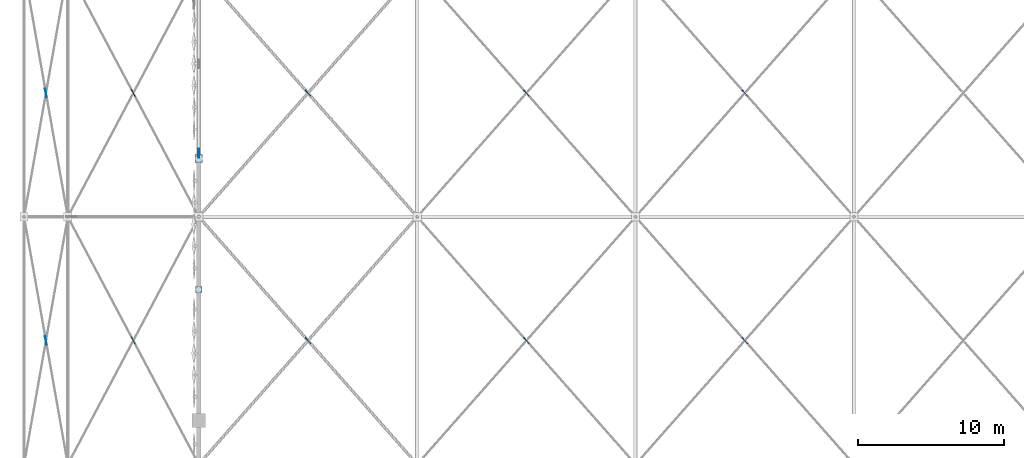
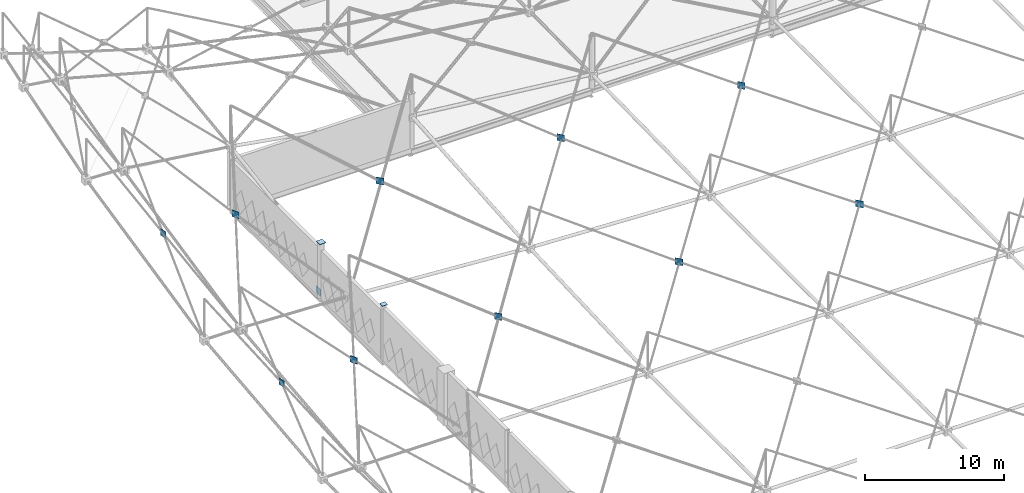
# One storey, part 183 of 224: 13 plates.
"""IFC4 building model written with IfcOpenShell, lengths in metres."""

import ifcopenshell
import ifcopenshell.guid

model = None  # the IFC model being written
_history = None  # IfcOwnerHistory: only IFC2X3 demands one
_inside = {}  # id of a spatial element -> (the spatial element, [elements in it])
_under = {}  # id of a project, library or spatial element -> (it, [spatial elements below it])
_declared = {}  # id of a project -> (the project, [libraries it declares])
_typed = {}  # id of a type object -> (the type object, [elements of that type])
_made_of = {}  # id of a material, layer set ... -> (it, [elements and type objects made of it])


def new_model(schema):
    """Start an empty IFC model of exactly this schema.

    Asked for "IFC4X3", IfcOpenShell would pick the latest addendum, in which some entities
    have other attributes; the version numbers below select the first issue.
    IFC2X3 requires an IfcOwnerHistory on every rooted entity: one is made here for all.
    """
    global model, _history
    if schema == "IFC4X3":
        model = ifcopenshell.file(schema_version=(4, 3, 0, 0))
    else:
        model = ifcopenshell.file(schema=schema)
    _inside.clear()
    _under.clear()
    _declared.clear()
    _typed.clear()
    _made_of.clear()
    _history = None
    if model.schema == "IFC2X3":
        org = make("IfcOrganization", Name="unknown")
        user = make(
            "IfcPersonAndOrganization",
            ThePerson=make("IfcPerson", FamilyName="unknown"),
            TheOrganization=org,
        )
        app = make(
            "IfcApplication",
            ApplicationDeveloper=org,
            Version="unknown",
            ApplicationFullName="unknown",
            ApplicationIdentifier="unknown",
        )
        _history = make(
            "IfcOwnerHistory",
            OwningUser=user,
            OwningApplication=app,
            ChangeAction="ADDED",
            CreationDate=0,
        )
    return model


def make(cls, **values):
    """One entity of the class cls with the attributes given. An attribute that is None is left unset."""
    return model.create_entity(
        cls, **{name: value for name, value in values.items() if value is not None}
    )


def rooted(cls, **values):
    """An entity with a GlobalId (a new one), such as an element, a storey or a relation."""
    return make(cls, GlobalId=ifcopenshell.guid.new(), OwnerHistory=_history, **values)


def si_unit(unit_type, name, prefix=None):
    """IfcSIUnit, for example si_unit("LENGTHUNIT", "METRE", prefix="MILLI")."""
    return make("IfcSIUnit", UnitType=unit_type, Prefix=prefix, Name=name)


def assignment(units):
    """IfcUnitAssignment: the units of a project."""
    return None if units is None else make("IfcUnitAssignment", Units=units)


def point(xyz):
    """IfcCartesianPoint."""
    return None if xyz is None else make("IfcCartesianPoint", Coordinates=xyz)


def direction(xyz):
    """IfcDirection."""
    return None if xyz is None else make("IfcDirection", DirectionRatios=xyz)


def frame(location, z_axis=None, x_axis=None):
    """IfcAxis2Placement3D, a coordinate frame: its origin and axes. An axis left out is left unset."""
    return make(
        "IfcAxis2Placement3D",
        Location=point(location),
        Axis=direction(z_axis),
        RefDirection=direction(x_axis),
    )


def frame_2d(location, x_axis=None):
    """IfcAxis2Placement2D, a coordinate frame in the plane: its origin and x axis."""
    return make(
        "IfcAxis2Placement2D", Location=point(location), RefDirection=direction(x_axis)
    )


def origin():
    """The frame at (0, 0, 0) with its axes left unset."""
    return frame((0.0, 0.0, 0.0))


def origin_2d():
    """The frame at (0, 0) in the plane with its x axis left unset."""
    return frame_2d((0.0, 0.0))


def place(relative_to, where):
    """IfcLocalPlacement: puts the frame where relative to a parent placement (None: the world)."""
    return make(
        "IfcLocalPlacement", PlacementRelTo=relative_to, RelativePlacement=where
    )


def context(
    kind, dimensions, precision=None, world=None, true_north=None, identifier=None
):
    """IfcGeometricRepresentationContext, for example the 3D "Model" context."""
    return make(
        "IfcGeometricRepresentationContext",
        ContextIdentifier=identifier,
        ContextType=kind,
        CoordinateSpaceDimension=dimensions,
        Precision=precision,
        WorldCoordinateSystem=world,
        TrueNorth=true_north,
    )


def subcontext(parent, identifier, kind, view, scale=None):
    """IfcGeometricRepresentationSubContext, for example "Body" below "Model"."""
    return make(
        "IfcGeometricRepresentationSubContext",
        ContextIdentifier=identifier,
        ContextType=kind,
        ParentContext=parent,
        TargetScale=scale,
        TargetView=view,
    )


def project(units=None, contexts=None):
    """IfcProject with its units and contexts."""
    return rooted(
        "IfcProject",
        Name="project",
        RepresentationContexts=contexts,
        UnitsInContext=assignment(units),
    )


def spatial(cls, under=None, at=None, **own):
    """A site, building, storey or space (cls), placed at a placement, below another one or the project."""
    s = rooted(cls, ObjectPlacement=at, **own)
    if under is not None:
        _under.setdefault(under.id(), (under, []))[1].append(s)
    return s


def profile(cls, at=None, kind="AREA", **sizes):
    """A parametric profile (cls). Its sizes go by their IFC names, for example OverallWidth=200.0."""
    return make(cls, ProfileType=kind, Position=at, **sizes)


def rectangle(**sizes):
    """IfcRectangleProfileDef."""
    return profile("IfcRectangleProfileDef", **sizes)


def extrude(swept, where, along, depth):
    """IfcExtrudedAreaSolid: the profile swept, set in the frame where, extruded along a direction by depth."""
    return make(
        "IfcExtrudedAreaSolid",
        SweptArea=swept,
        Position=where,
        ExtrudedDirection=direction(along),
        Depth=depth,
    )


def shape(context_of_items, identifier, shape_type, items):
    """IfcShapeRepresentation: the items that make up one representation, for example the "Body"."""
    return make(
        "IfcShapeRepresentation",
        ContextOfItems=context_of_items,
        RepresentationIdentifier=identifier,
        RepresentationType=shape_type,
        Items=items,
    )


def material(Name=None, Category=None):
    """IfcMaterial."""
    return make("IfcMaterial", Name=Name, Category=Category)


def layer(
    of_material, thickness, ventilated=None, Name=None, Category=None, Priority=None
):
    """IfcMaterialLayer: one layer of a wall or slab, of a material (None: an air gap)."""
    return make(
        "IfcMaterialLayer",
        Material=of_material,
        LayerThickness=thickness,
        IsVentilated=ventilated,
        Name=Name,
        Category=Category,
        Priority=Priority,
    )


def layer_set(layers, Name=None):
    """IfcMaterialLayerSet."""
    return make("IfcMaterialLayerSet", MaterialLayers=layers, LayerSetName=Name)


def made_of(thing, what):
    """Note that an element or type object is made of a material, layer set ...; save() writes the relation."""
    if what is not None:
        _made_of.setdefault(what.id(), (what, []))[1].append(thing)
    return thing


def type_object(cls, material=None, **own):
    """A type object (cls), such as IfcWallType, which elements share."""
    return made_of(rooted(cls, **own), material)


def element(
    cls,
    number,
    at=None,
    inside=None,
    cuts=None,
    type_object=None,
    material=None,
    context=None,
    identifier="Body",
    shape_type=None,
    held_by="IfcProductDefinitionShape",
    body=None,
    shapes=None,
    **own,
):
    """One element of the class cls, such as IfcWall. Its Tag is "e" and its number.

    at: its placement. inside: the storey or other place that contains it. cuts: it is an
    opening in that element (IfcRelVoidsElement). A single representation is given by context,
    identifier, shape_type and body (its items); several are given by shapes. held_by: the class
    of the entity that holds the representations. save() writes the other relations.
    """
    e = rooted(cls, Tag="e%d" % number, ObjectPlacement=at, **own)
    if body is not None:
        shapes = [shape(context, identifier, shape_type, body)]
    if shapes is not None:
        e.Representation = make(held_by, Representations=shapes)
    if inside is not None:
        _inside.setdefault(inside.id(), (inside, []))[1].append(e)
    if cuts is not None:
        rooted(
            "IfcRelVoidsElement", RelatingBuildingElement=cuts, RelatedOpeningElement=e
        )
    if type_object is not None:
        _typed.setdefault(type_object.id(), (type_object, []))[1].append(e)
    return made_of(e, material)


def aggregate(whole, parts):
    """IfcRelAggregates: a whole, such as a stair, and the parts it consists of."""
    return rooted("IfcRelAggregates", RelatingObject=whole, RelatedObjects=parts)


def save(model, path):
    """Write the relations noted so far, then the file.

    IfcRelAggregates (storeys below a building ...), IfcRelContainedInSpatialStructure (elements
    in a storey), IfcRelDefinesByType, IfcRelAssociatesMaterial and IfcRelDeclares: one each for
    every whole, place, type object, material and project.
    """
    for whole, parts in _under.values():
        aggregate(whole, parts)
    for where, things in _inside.values():
        rooted(
            "IfcRelContainedInSpatialStructure",
            RelatedElements=things,
            RelatingStructure=where,
        )
    for kind, things in _typed.values():
        rooted("IfcRelDefinesByType", RelatedObjects=things, RelatingType=kind)
    for what, things in _made_of.values():
        rooted("IfcRelAssociatesMaterial", RelatedObjects=things, RelatingMaterial=what)
    for by, libraries in _declared.values():
        rooted("IfcRelDeclares", RelatingContext=by, RelatedDefinitions=libraries)
    model.write(path)


model = new_model("IFC4")

# Units and contexts
model_context = context("Model", 3, precision=1e-05, world=origin(), true_north=direction((0.0, 1.0)))
body_context = subcontext(model_context, "Body", "Model", "MODEL_VIEW")
ifc_project = project(units=[si_unit("LENGTHUNIT", "METRE"), si_unit("AREAUNIT", "SQUARE_METRE"), si_unit("VOLUMEUNIT", "CUBIC_METRE"), si_unit("PLANEANGLEUNIT", "RADIAN"), si_unit("MASSUNIT", "GRAM", prefix="KILO")], contexts=[model_context])

# Site, building, storey
site_placement = place(None, origin())
site = spatial("IfcSite", under=ifc_project, at=site_placement, CompositionType="ELEMENT")
building_placement = place(site_placement, origin())
building = spatial("IfcBuilding", under=site, at=building_placement, Name="Qamarlyn Nura Convention Centre", CompositionType="ELEMENT")
storey_placement = place(building_placement, frame((0.0, 0.0, 10.800048828125)))
storey = spatial("IfcBuildingStorey", under=building, at=storey_placement, Name="L02", CompositionType="ELEMENT", Elevation=10.800048828125)

# Plates
ifc_material = material(Name="Structural steel ASTM A572 Grade 50", Category="steel")
ifc_layer_1 = layer(ifc_material, 0.02490234375, Name="GP-CAP-25")
ifc_layer_set_1 = layer_set([ifc_layer_1], Name="Structural steel ASTM A572 Grade 50")
plate_type_1 = type_object("IfcPlateType", Name="GP-CAP-25", PredefinedType="USERDEFINED", material=ifc_layer_set_1)
plate_1_placement = place(storey_placement, frame((0.0, 81.0, 4.800048828125), z_axis=(0.0, 0.0, 1.0), x_axis=(1.0, 0.0, 0.0)))
element("IfcPlate", 1, at=plate_1_placement, inside=storey, type_object=plate_type_1, Name="L02 column welded end-cap plate 1/K", ObjectType="END CAP PLATE", PredefinedType="USERDEFINED", context=body_context, shape_type="SweptSolid", body=[
    extrude(rectangle(XDim=0.426513671875, YDim=0.426513671875, at=origin_2d()), origin(), (0.0, 0.0, 1.0), 0.02490234375),
])
plate_2_placement = place(storey_placement, frame((0.0, 90.0, 4.800048828125), z_axis=(0.0, 0.0, 1.0), x_axis=(1.0, 0.0, 0.0)))
element("IfcPlate", 2, at=plate_2_placement, inside=storey, type_object=plate_type_1, Name="L02 column welded end-cap plate 1/L", ObjectType="END CAP PLATE", PredefinedType="USERDEFINED", context=body_context, shape_type="SweptSolid", body=[
    extrude(rectangle(XDim=0.528076171875, YDim=0.528076171875, at=origin_2d()), origin(), (0.0, 0.0, 1.0), 0.02490234375),
])
ifc_layer_2 = layer(ifc_material, 0.035888671875, Name="GP-SN1")
ifc_layer_set_2 = layer_set([ifc_layer_2], Name="Structural steel ASTM A572 Grade 50")
plate_type_2 = type_object("IfcPlateType", Name="GP-SN1", PredefinedType="USERDEFINED", material=ifc_layer_set_2)
for number, where, z_axis, x_axis, name in (
    (3, (-10.5, 77.5, 3.4365234375), (0.0, 0.0, 1.0), (-0.173785681076, 0.984783497553, 0.0), "Space frame X-brace crossing gusset plate 0-5"),
    (4, (-10.5, 94.5, 6.210693359375), (0.0, 0.0, 1.0), (-0.173785681076, 0.984783497553, 0.0), "Space frame X-brace crossing gusset plate 0-6"),
    (5, (-4.5, 77.5, 3.32470703125), (0.0, 0.0, 1.0), (-0.467888167267, 0.88378767978, 0.0), "Space frame X-brace crossing gusset plate 1-5"),
    (6, (-4.5, 94.5, 5.7939453125), (0.0, 0.0, 1.0), (-0.467888167267, 0.88378767978, 0.0), "Space frame X-brace crossing gusset plate 1-6"),
    (7, (7.5, 77.5, 2.935791015625), (0.0, 0.0, 1.0), (-0.661622086957, 0.749837458421, 0.0), "Space frame X-brace crossing gusset plate 2-5"),
    (8, (7.5, 94.5, 4.521728515625), (0.0, 0.0, 1.0), (-0.661622086957, 0.749837458421, 0.0), "Space frame X-brace crossing gusset plate 2-6"),
    (9, (22.5, 77.5, 2.487548828125), (0.0, 0.0, 1.0), (-0.661622086957, 0.749837458421, 0.0), "Space frame X-brace crossing gusset plate 3-5"),
    (10, (22.5, 94.5, 3.067138671875), (0.0, 0.0, 1.0), (-0.661622086957, 0.749837458421, 0.0), "Space frame X-brace crossing gusset plate 3-6"),
    (11, (37.5, 77.5, 2.317138671875), (0.0, 0.0, 1.0), (-0.661622086957, 0.749837458421, 0.0), "Space frame X-brace crossing gusset plate 4-5"),
    (12, (37.5, 94.5, 2.40478515625), (0.0, 0.0, 1.0), (-0.661622086957, 0.749837458421, 0.0), "Space frame X-brace crossing gusset plate 4-6"),
):
    element("IfcPlate", number, at=place(storey_placement, frame(where, z_axis=z_axis, x_axis=x_axis)), inside=storey, type_object=plate_type_2, Name=name, ObjectType="GUSSET PLATE", PredefinedType="USERDEFINED", context=body_context, shape_type="SweptSolid", body=[
        extrude(rectangle(XDim=0.580078125, YDim=0.035888671875, at=origin_2d()), origin(), (0.0, 0.0, 1.0), 0.580078125),
    ])
ifc_layer_3 = layer(ifc_material, 0.044921875, Name="GP-TN1")
ifc_layer_set_3 = layer_set([ifc_layer_3], Name="Structural steel ASTM A572 Grade 50")
plate_type_3 = type_object("IfcPlateType", Name="GP-TN1", PredefinedType="USERDEFINED", material=ifc_layer_set_3)
plate_3_placement = place(storey_placement, frame((0.0, 90.360107421875, 0.0), z_axis=(0.0, 0.0, 1.0), x_axis=(0.0, 1.0, 0.0)))
element("IfcPlate", 13, at=plate_3_placement, inside=storey, type_object=plate_type_3, Name="SCBF chevron brace gusset plate CBF-W2-L02-A", ObjectType="GUSSET PLATE", PredefinedType="USERDEFINED", context=body_context, shape_type="SweptSolid", body=[
    extrude(rectangle(XDim=0.60009765625, YDim=0.044921875, at=origin_2d()), origin(), (0.0, 0.0, 1.0), 0.60009765625),
])

save(model, "model.ifc")
